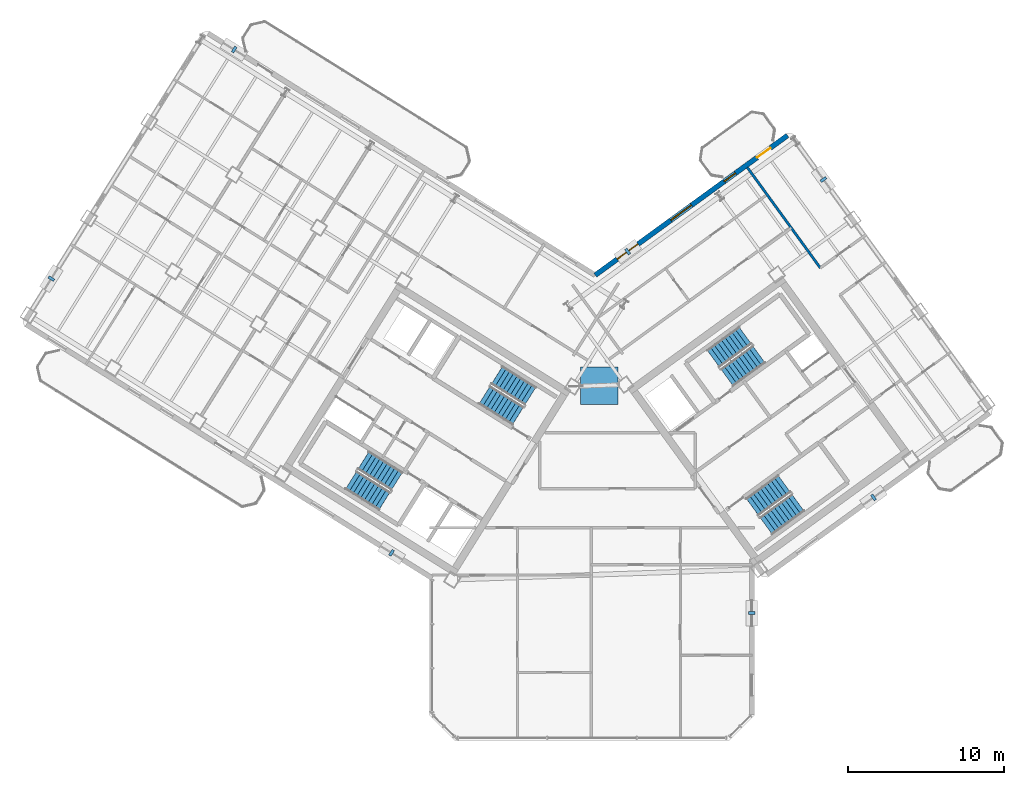
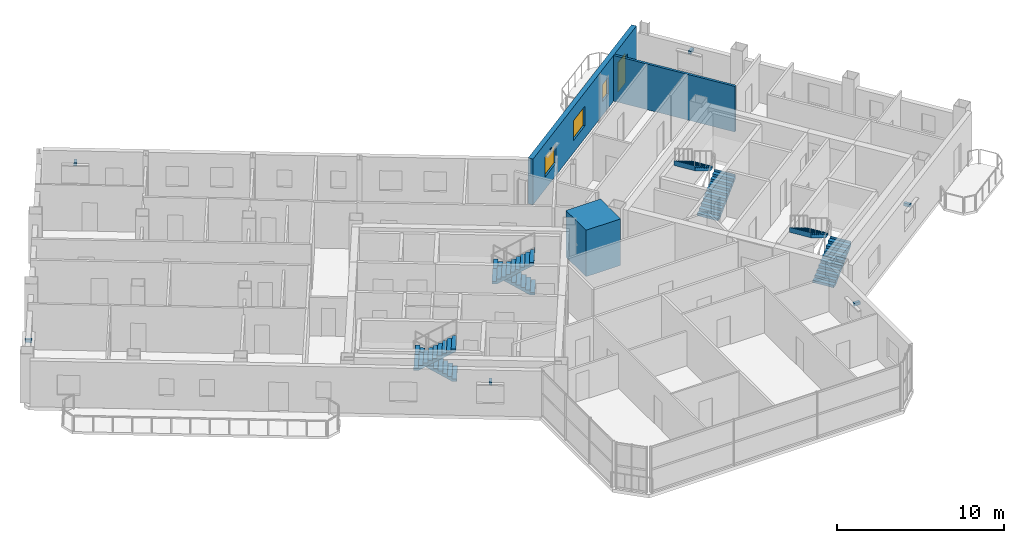
# One storey, part 18 of 23: 8 discrete accessories, 8 stair flights, 3 windows, 2 walls, 1 door, 4 openings, 4 elements without a shape of their own.
"""IFC4 building model written with IfcOpenShell, lengths in metres."""

from ifc_helpers import new_model, si_unit, direction, frame, frame_2d, origin, origin_2d, place, context, subcontext, project, spatial, polyline, rectangle, outline, extrude, source, transform, mapped, material, layer, layer_set, type_object, element, fill, aggregate, save


model = new_model("IFC4")

# Units and contexts
model_context = context("Model", 3, precision=1e-05, world=origin(), true_north=direction((0.0, 1.0)))
body_context = subcontext(model_context, "Body", "Model", "MODEL_VIEW")
ifc_project = project(units=[si_unit("LENGTHUNIT", "METRE"), si_unit("AREAUNIT", "SQUARE_METRE"), si_unit("VOLUMEUNIT", "CUBIC_METRE"), si_unit("PLANEANGLEUNIT", "RADIAN"), si_unit("MASSUNIT", "GRAM", prefix="KILO")], contexts=[model_context])

# Site, building, storey
site_placement = place(None, origin())
site = spatial("IfcSite", under=ifc_project, at=site_placement, CompositionType="ELEMENT")
building_placement = place(site_placement, origin())
building = spatial("IfcBuilding", under=site, at=building_placement, Name="Tlacorven Tower", CompositionType="ELEMENT")
storey_placement = place(building_placement, frame((0.0, 0.0, 218.39990234375)))
storey = spatial("IfcBuildingStorey", under=building, at=storey_placement, Name="L55", CompositionType="ELEMENT", Elevation=218.39990234375)

# Wall
ifc_material_1 = material(Name="Gypsum plasterboard acoustic partition", Category="gypsum")
ifc_layer_1 = layer(ifc_material_1, 0.159912109375)
ifc_layer_set_1 = layer_set([ifc_layer_1], Name="Gypsum plasterboard acoustic partition")
wall_type_1 = type_object("IfcWallType", Name="WL-DEM-160", PredefinedType="PARTITIONING", material=ifc_layer_set_1)
wall_1_placement = place(storey_placement, frame((56.626708984375, 32.06201171875, 0.0), z_axis=(0.0, 0.0, 1.0), x_axis=(-0.587769918433, 0.809028134854, 0.0)))
element("IfcWall", 1, at=wall_1_placement, inside=storey, type_object=wall_type_1, Name="L55 partition 81", PredefinedType="PARTITIONING", context=body_context, shape_type="SweptSolid", body=[
    extrude(rectangle(XDim=7.9501953125, YDim=0.159912109375, at=frame_2d((3.97509765625, 0.0))), origin(), (0.0, 0.0, 1.0), 3.340087890625),
])

# Wall, openings, door, windows
ifc_material_2 = material(Name="Precast concrete C45/55", Category="concrete")
ifc_layer_2 = layer(ifc_material_2, 0.320068359375)
ifc_layer_set_2 = layer_set([ifc_layer_2], Name="Precast concrete C45/55")
wall_type_2 = type_object("IfcWallType", Name="WL-EXT-320", PredefinedType="STANDARD", material=ifc_layer_set_2)
wall_2_placement = place(storey_placement, frame((42.20654296875, 31.597412109375, 0.0), z_axis=(0.0, 0.0, 1.0), x_axis=(0.809020333377, 0.587780656523, 0.0)))
wall_2 = element("IfcWall", 2, at=wall_2_placement, inside=storey, type_object=wall_type_2, Name="L55 Masonry-Frame Recessed Facade Wall 4", PredefinedType="STANDARD", context=body_context, shape_type="SweptSolid", body=[
    extrude(rectangle(XDim=15.222900390625, YDim=0.320068359375, at=frame_2d((7.611328125, 0.0))), origin(), (0.0, 0.0, 1.0), 3.35009765625),
])
opening_1_placement = place(wall_2_placement, frame((12.81982421875, 0.0, 0.0)))
opening_1 = element("IfcOpeningElement", 3, at=opening_1_placement, cuts=wall_2, Name="Opening D06", PredefinedType="OPENING", context=body_context, shape_type="SweptSolid", body=[
    extrude(rectangle(XDim=1.050048828125, YDim=2.14990234375, at=frame_2d((0.52490234375, 1.074951171875))), frame((0.0, 0.169921875, 0.0), z_axis=(0.0, -1.0, 0.0), x_axis=(1.0, 0.0, 0.0)), (0.0, 0.0, 1.0), 0.340087890625),
])
opening_2_placement = place(wall_2_placement, frame((1.744873046875, 0.0, 0.89990234375)))
opening_2 = element("IfcOpeningElement", 4, at=opening_2_placement, cuts=wall_2, Name="Opening WN07", PredefinedType="OPENING", context=body_context, shape_type="SweptSolid", body=[
    extrude(rectangle(XDim=1.64990234375, YDim=1.449951171875, at=frame_2d((0.824951171875, 0.72509765625))), frame((0.0, 0.169921875, 0.0), z_axis=(0.0, -1.0, 0.0), x_axis=(1.0, 0.0, 0.0)), (0.0, 0.0, 1.0), 0.340087890625),
])
opening_3_placement = place(wall_2_placement, frame((5.984619140625, 0.0, 0.89990234375)))
opening_3 = element("IfcOpeningElement", 5, at=opening_3_placement, cuts=wall_2, Name="Opening WN07", PredefinedType="OPENING", context=body_context, shape_type="SweptSolid", body=[
    extrude(rectangle(XDim=1.64990234375, YDim=1.449951171875, at=frame_2d((0.824951171875, 0.72509765625))), frame((0.0, 0.169921875, 0.0), z_axis=(0.0, -1.0, 0.0), x_axis=(1.0, 0.0, 0.0)), (0.0, 0.0, 1.0), 0.340087890625),
])
opening_4_placement = place(wall_2_placement, frame((10.219482421875, 0.0, 1.0)))
opening_4 = element("IfcOpeningElement", 6, at=opening_4_placement, cuts=wall_2, Name="Opening WN05", PredefinedType="OPENING", context=body_context, shape_type="SweptSolid", body=[
    extrude(rectangle(XDim=0.89990234375, YDim=1.25, at=frame_2d((0.449951171875, 0.625))), frame((0.0, 0.169921875, 0.0), z_axis=(0.0, -1.0, 0.0), x_axis=(1.0, 0.0, 0.0)), (0.0, 0.0, 1.0), 0.340087890625),
])
ifc_material_3 = material(Name="Powder-coated aluminium and timber door", Category="wood")
door_type = type_object("IfcDoorType", Name="DR-EXT-BALC-1050", OperationType="NOTDEFINED", PredefinedType="DOOR", material=ifc_material_3)
shared_shape_1 = source(origin(), body_context, "Body", "SweptSolid", [
    extrude(rectangle(XDim=1.050048828125, YDim=2.14990234375, at=frame_2d((0.52490234375, 1.074951171875))), frame((0.0, 0.02490234375, 0.0), z_axis=(0.0, -1.0, 0.0), x_axis=(1.0, 0.0, 0.0)), (0.0, 0.0, 1.0), 0.050048828125),
])
door_placement = place(opening_1_placement, origin())
door = element("IfcDoor", 7, at=door_placement, inside=storey, type_object=door_type, Name="L55 Outdoor Access Door BAL-L55-E-IN", OperationType="SINGLE_SWING_RIGHT", OverallHeight=2.14990234375, OverallWidth=1.050048828125, PredefinedType="DOOR", context=body_context, shape_type="MappedRepresentation", body=[
    mapped(shared_shape_1, transform((0.0, 0.0, 0.0), scale=1.0)),
])
fill(opening_1, door)
ifc_material_4 = material(Name="Dark solar low-E double glazing in anodised aluminium frame", Category="aluminium")
window_type_1 = type_object("IfcWindowType", Name="WN-APT-0900X1350", PartitioningType="SINGLE_PANEL", PredefinedType="WINDOW", material=ifc_material_4)
shared_shape_2 = source(origin(), body_context, "Body", "SweptSolid", [
    extrude(rectangle(XDim=0.89990234375, YDim=1.25, at=frame_2d((0.449951171875, 0.625))), frame((0.0, 0.030029296875, 0.0), z_axis=(0.0, -1.0, 0.0), x_axis=(1.0, 0.0, 0.0)), (0.0, 0.0, 1.0), 0.06005859375),
])
window_1_placement = place(opening_4_placement, origin())
window_1 = element("IfcWindow", 8, at=window_1_placement, inside=storey, type_object=window_type_1, Name="L55 Recessed Masonry-Frame Window L55-04.3", OverallHeight=1.25, OverallWidth=0.89990234375, PartitioningType="SINGLE_PANEL", PredefinedType="WINDOW", context=body_context, shape_type="MappedRepresentation", body=[
    mapped(shared_shape_2, transform((0.0, 0.0, 0.0), scale=1.0)),
])
fill(opening_4, window_1)
window_type_2 = type_object("IfcWindowType", Name="WN-APT-1650X1600", PartitioningType="SINGLE_PANEL", PredefinedType="WINDOW", material=ifc_material_4)
shared_shape_3 = source(origin(), body_context, "Body", "SweptSolid", [
    extrude(rectangle(XDim=1.64990234375, YDim=1.449951171875, at=frame_2d((0.824951171875, 0.72509765625))), frame((0.0, 0.030029296875, 0.0), z_axis=(0.0, -1.0, 0.0), x_axis=(1.0, 0.0, 0.0)), (0.0, 0.0, 1.0), 0.06005859375),
])
window_2_placement = place(opening_2_placement, origin())
window_2 = element("IfcWindow", 9, at=window_2_placement, inside=storey, type_object=window_type_2, Name="L55 Recessed Masonry-Frame Window L55-04.1", OverallHeight=1.449951171875, OverallWidth=1.64990234375, PartitioningType="SINGLE_PANEL", PredefinedType="WINDOW", context=body_context, shape_type="MappedRepresentation", body=[
    mapped(shared_shape_3, transform((0.0, 0.0, 0.0), scale=1.0)),
])
fill(opening_2, window_2)
window_3_placement = place(opening_3_placement, origin())
window_3 = element("IfcWindow", 10, at=window_3_placement, inside=storey, type_object=window_type_2, Name="L55 Recessed Masonry-Frame Window L55-04.2", OverallHeight=1.449951171875, OverallWidth=1.64990234375, PartitioningType="SINGLE_PANEL", PredefinedType="WINDOW", context=body_context, shape_type="MappedRepresentation", body=[
    mapped(shared_shape_3, transform((0.0, 0.0, 0.0), scale=1.0)),
])
fill(opening_3, window_3)

# Stair, stair flights
ifc_material_5 = material(Name="Concrete C40/50", Category="concrete")
stair_type = type_object("IfcStairType", Name="ST-CORE-DLG", PredefinedType="HALF_TURN_STAIR", material=ifc_material_5)
stair_1_placement = place(storey_placement, origin())
stair_1 = element("IfcStair", 11, at=stair_1_placement, inside=storey, type_object=stair_type, Name="L55 Protected Exit Stair West 1", PredefinedType="HALF_TURN_STAIR")
stair_flight_type = type_object("IfcStairFlightType", Name="SFL-RC-1380", PredefinedType="STRAIGHT", material=ifc_material_5)
shared_shape_4 = source(origin(), body_context, "Body", "SweptSolid", [
    extrude(outline(polyline([(-0.0029296875, -0.0029296875), (-0.0029296875, 0.179931640625), (0.280029296875, 0.179931640625), (0.280029296875, 0.360107421875), (0.56005859375, 0.360107421875), (0.56005859375, 0.5400390625), (0.840087890625, 0.5400390625), (0.840087890625, 0.719970703125), (1.1201171875, 0.719970703125), (1.1201171875, 0.89990234375), (1.39990234375, 0.89990234375), (1.39990234375, 1.080078125), (1.679931640625, 1.080078125), (1.679931640625, 1.260009765625), (1.9599609375, 1.260009765625), (1.9599609375, 1.43994140625), (2.239990234375, 1.43994140625), (2.239990234375, 1.6201171875), (2.52001953125, 1.6201171875), (2.52001953125, 1.800048828125), (2.52294921875, 1.800048828125), (2.52294921875, 1.429931640625), (2.52001953125, 1.429931640625), (0.295654296875, 0.0), (0.295654296875, -0.0029296875), (-0.0029296875, -0.0029296875)])), frame((0.0, 0.68994140625, 0.0), z_axis=(0.0, -1.0, 0.0), x_axis=(1.0, 0.0, 0.0)), (0.0, 0.0, 1.0), 1.3798828125),
])
stair_flight_1_placement = place(storey_placement, frame((29.499755859375, 18.39453125, 0.0), z_axis=(0.0, 0.0, 1.0), x_axis=(-0.848048096156, 0.529919264233, 0.0)))
stair_flight_1 = element("IfcStairFlight", 12, at=stair_flight_1_placement, type_object=stair_flight_type, Name="ST-W1 flight 1", NumberOfRisers=10, NumberOfTreads=9, PredefinedType="STRAIGHT", RiserHeight=0.18, TreadLength=0.28, context=body_context, shape_type="MappedRepresentation", body=[
    mapped(shared_shape_4, transform((0.0, 0.0, 0.0), scale=1.0)),
])
stair_flight_2_placement = place(storey_placement, frame((26.56787109375, 18.4580078125, 1.800048828125), z_axis=(0.0, 0.0, 1.0), x_axis=(0.848048096156, -0.529919264233, 0.0)))
stair_flight_2 = element("IfcStairFlight", 13, at=stair_flight_2_placement, type_object=stair_flight_type, Name="ST-W1 flight 2", NumberOfRisers=10, NumberOfTreads=9, PredefinedType="STRAIGHT", RiserHeight=0.18, TreadLength=0.28, context=body_context, shape_type="MappedRepresentation", body=[
    mapped(shared_shape_4, transform((0.0, 0.0, 0.0), scale=1.0)),
])
aggregate(stair_1, [stair_flight_1, stair_flight_2])

stair_2_placement = place(storey_placement, origin())
stair_2 = element("IfcStair", 14, at=stair_2_placement, inside=storey, type_object=stair_type, Name="L55 Protected Exit Stair West 2", PredefinedType="HALF_TURN_STAIR")
stair_flight_3_placement = place(storey_placement, frame((38.051513671875, 23.852294921875, 0.0), z_axis=(0.0, 0.0, 1.0), x_axis=(-0.848048096156, 0.529919264233, 0.0)))
stair_flight_3 = element("IfcStairFlight", 15, at=stair_flight_3_placement, type_object=stair_flight_type, Name="ST-W2 flight 1", NumberOfRisers=10, NumberOfTreads=9, PredefinedType="STRAIGHT", RiserHeight=0.18, TreadLength=0.28, context=body_context, shape_type="MappedRepresentation", body=[
    mapped(shared_shape_4, transform((0.0, 0.0, 0.0), scale=1.0)),
])
stair_flight_4_placement = place(storey_placement, frame((35.119384765625, 23.91552734375, 1.800048828125), z_axis=(0.0, 0.0, 1.0), x_axis=(0.848048096156, -0.529919264233, 0.0)))
stair_flight_4 = element("IfcStairFlight", 16, at=stair_flight_4_placement, type_object=stair_flight_type, Name="ST-W2 flight 2", NumberOfRisers=10, NumberOfTreads=9, PredefinedType="STRAIGHT", RiserHeight=0.18, TreadLength=0.28, context=body_context, shape_type="MappedRepresentation", body=[
    mapped(shared_shape_4, transform((0.0, 0.0, 0.0), scale=1.0)),
])
aggregate(stair_2, [stair_flight_3, stair_flight_4])

stair_3_placement = place(storey_placement, origin())
stair_3 = element("IfcStair", 17, at=stair_3_placement, inside=storey, type_object=stair_type, Name="L55 Protected Exit Stair East 1", PredefinedType="HALF_TURN_STAIR")
stair_flight_5_placement = place(storey_placement, frame((50.6533203125, 25.0400390625, 0.0), z_axis=(0.0, 0.0, 1.0), x_axis=(0.809016994375, 0.587785252292, 0.0)))
stair_flight_5 = element("IfcStairFlight", 18, at=stair_flight_5_placement, type_object=stair_flight_type, Name="ST-E1 flight 1", NumberOfRisers=10, NumberOfTreads=9, PredefinedType="STRAIGHT", RiserHeight=0.18, TreadLength=0.28, context=body_context, shape_type="MappedRepresentation", body=[
    mapped(shared_shape_4, transform((0.0, 0.0, 0.0), scale=1.0)),
])
stair_flight_6_placement = place(storey_placement, frame((51.810546875, 27.734619140625, 1.800048828125), z_axis=(0.0, 0.0, 1.0), x_axis=(-0.809016994375, -0.587785252292, 0.0)))
stair_flight_6 = element("IfcStairFlight", 19, at=stair_flight_6_placement, type_object=stair_flight_type, Name="ST-E1 flight 2", NumberOfRisers=10, NumberOfTreads=9, PredefinedType="STRAIGHT", RiserHeight=0.18, TreadLength=0.28, context=body_context, shape_type="MappedRepresentation", body=[
    mapped(shared_shape_4, transform((0.0, 0.0, 0.0), scale=1.0)),
])
aggregate(stair_3, [stair_flight_5, stair_flight_6])

stair_4_placement = place(storey_placement, origin())
stair_4 = element("IfcStair", 20, at=stair_4_placement, inside=storey, type_object=stair_type, Name="L55 Protected Exit Stair East 2", PredefinedType="HALF_TURN_STAIR")
stair_flight_7_placement = place(storey_placement, frame((53.157470703125, 15.536865234375, 0.0), z_axis=(0.0, 0.0, 1.0), x_axis=(0.809016994375, 0.587785252292, 0.0)))
stair_flight_7 = element("IfcStairFlight", 21, at=stair_flight_7_placement, type_object=stair_flight_type, Name="ST-E2 flight 1", NumberOfRisers=10, NumberOfTreads=9, PredefinedType="STRAIGHT", RiserHeight=0.18, TreadLength=0.28, context=body_context, shape_type="MappedRepresentation", body=[
    mapped(shared_shape_4, transform((0.0, 0.0, 0.0), scale=1.0)),
])
stair_flight_8_placement = place(storey_placement, frame((54.314453125, 18.231689453125, 1.800048828125), z_axis=(0.0, 0.0, 1.0), x_axis=(-0.809016994375, -0.587785252292, 0.0)))
stair_flight_8 = element("IfcStairFlight", 22, at=stair_flight_8_placement, type_object=stair_flight_type, Name="ST-E2 flight 2", NumberOfRisers=10, NumberOfTreads=9, PredefinedType="STRAIGHT", RiserHeight=0.18, TreadLength=0.28, context=body_context, shape_type="MappedRepresentation", body=[
    mapped(shared_shape_4, transform((0.0, 0.0, 0.0), scale=1.0)),
])
aggregate(stair_4, [stair_flight_7, stair_flight_8])

# Discrete accessories
ifc_material_6 = material(Name="Aluminium 6063-T6 anodised", Category="aluminium")
discrete_accessory_type_1 = type_object("IfcDiscreteAccessoryType", Name="ACC-TRB-01", PredefinedType="BRACKET", material=ifc_material_6)
shared_shape_5 = source(origin(), body_context, "Body", "SweptSolid", [
    extrude(rectangle(XDim=2.39990234375, YDim=2.39990234375, at=origin_2d()), origin(), (0.0, 0.0, 1.0), 3.39990234375),
])
discrete_accessory_placement = place(storey_placement, frame((42.453369140625, 24.526611328125, 0.050048828125), z_axis=(0.0, 0.0, 1.0), x_axis=(1.0, 0.0, 0.0)))
element("IfcDiscreteAccessory", 23, at=discrete_accessory_placement, inside=storey, type_object=discrete_accessory_type_1, Name="L55 Vertical-Axis Venturi Wind Turbine Rotor", PredefinedType="BRACKET", context=body_context, shape_type="MappedRepresentation", body=[
    mapped(shared_shape_5, transform((0.0, 0.0, 0.0), scale=1.0)),
])
ifc_material_7 = material(Name="Steel S355J2", Category="steel")
discrete_accessory_type_2 = type_object("IfcDiscreteAccessoryType", Name="ACC-BRK-01", PredefinedType="BRACKET", material=ifc_material_7)
shared_shape_6 = source(origin(), body_context, "Body", "SweptSolid", [
    extrude(rectangle(XDim=0.179931640625, YDim=0.419921875, at=origin_2d()), origin(), (0.0, 0.0, 1.0), 0.219970703125),
])
for number, where, z_axis, x_axis, name in (
    (24, (29.1611328125, 13.80712890625, 2.2802734375), (0.0, 0.0, 1.0), (-0.848048152806, 0.529919173576, 0.0), "L55 Sunshade Bracket L55-01.1"),
    (25, (7.365966796875, 31.37646484375, 2.2802734375), (0.0, 0.0, 1.0), (0.529919147866, 0.848048168871, 0.0), "L55 Sunshade Bracket L55-02.1"),
    (26, (19.077392578125, 46.050048828125, 2.2802734375), (0.0, 0.0, 1.0), (0.848048220257, -0.52991906563, 0.0), "L55 Sunshade Bracket L55-03.1"),
    (27, (44.28564453125, 33.10791015625, 2.2802734375), (0.0, 0.0, 1.0), (0.809016703631, 0.587785652468, 0.0), "L55 Sunshade Bracket L55-04.1"),
    (28, (56.8271484375, 37.7236328125, 2.2802734375), (0.0, 0.0, 1.0), (0.587785363163, -0.809016913823, 0.0), "L55 Sunshade Bracket L55-05.1"),
    (29, (60.035888671875, 17.357666015625, 2.2802734375), (0.0, 0.0, 1.0), (-0.809016829126, -0.587785479738, 0.0), "L55 Sunshade Bracket L55-06.1"),
    (30, (52.239990234375, 9.946533203125, 2.2802734375), (0.0, 0.0, 1.0), (0.0, -1.0, 0.0), "L55 Sunshade Bracket L55-08.1"),
):
    element("IfcDiscreteAccessory", number, at=place(storey_placement, frame(where, z_axis=z_axis, x_axis=x_axis)), inside=storey, type_object=discrete_accessory_type_2, Name=name, PredefinedType="BRACKET", context=body_context, shape_type="MappedRepresentation", body=[
        mapped(shared_shape_6, transform((0.0, 0.0, 0.0), scale=1.0)),
    ])

save(model, "model.ifc")
